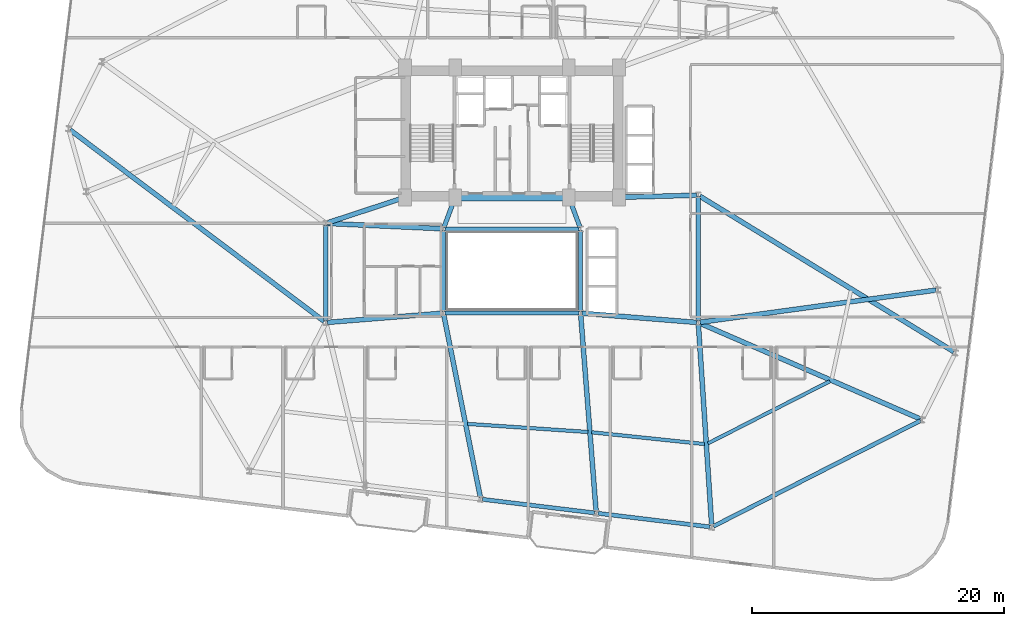
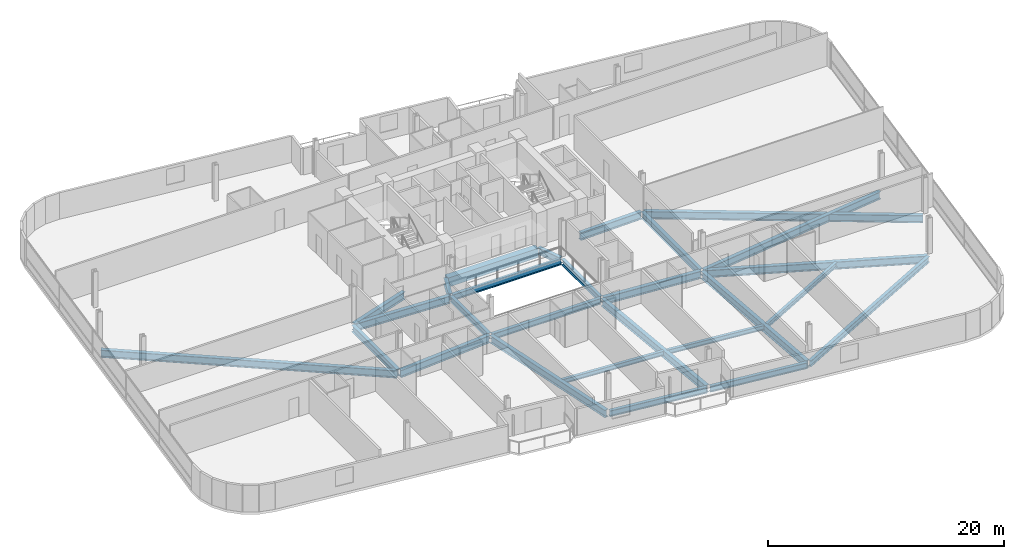
# One storey, part 7 of 26: 27 beams.
"""IFC4 building model written with IfcOpenShell, lengths in metres."""

from ifc_helpers import new_model, si_unit, direction, frame, origin, origin_2d, place, context, subcontext, project, spatial, rectangle, i_section, extrude, material, material_profile, profile_set, type_object, element, save


model = new_model("IFC4")

# Units and contexts
model_context = context("Model", 3, precision=1e-05, world=origin(), true_north=direction((0.0, 1.0)))
body_context = subcontext(model_context, "Body", "Model", "MODEL_VIEW")
ifc_project = project(units=[si_unit("LENGTHUNIT", "METRE"), si_unit("AREAUNIT", "SQUARE_METRE"), si_unit("VOLUMEUNIT", "CUBIC_METRE"), si_unit("PLANEANGLEUNIT", "RADIAN"), si_unit("MASSUNIT", "GRAM", prefix="KILO")], contexts=[model_context])

# Site, building, storey
site_placement = place(None, origin())
site = spatial("IfcSite", under=ifc_project, at=site_placement, CompositionType="ELEMENT")
building_placement = place(site_placement, origin())
building = spatial("IfcBuilding", under=site, at=building_placement, Name="Varnelok Gate Tower", CompositionType="ELEMENT")
storey_placement = place(building_placement, frame((0.0, 0.0, 129.10009765625)))
storey = spatial("IfcBuildingStorey", under=building, at=storey_placement, Name="L32", CompositionType="ELEMENT", Elevation=129.10009765625)

# Beams
ifc_material_1 = material(Name="Structural Steel ASTM A992 Grade 50", Category="steel")
ifc_material_profile_1 = material_profile(ifc_material_1, i_section(OverallWidth=0.280029296875, OverallDepth=0.462890625, WebThickness=0.0107421875, FlangeThickness=0.017333984375, FilletRadius=0.014892578125, at=origin_2d()), Name="W18X76")
ifc_profile_set_1 = profile_set([ifc_material_profile_1], Name="Structural Steel ASTM A992 Grade 50")
beam_type_1 = type_object("IfcBeamType", Name="BM-JST-W18X76", PredefinedType="JOIST", material=ifc_profile_set_1)
beam_1_placement = place(storey_placement, frame((35.651611328125, 10.74658203125, -0.481689453125), z_axis=(0.997760046708, -0.066894612588, 0.0), x_axis=(0.066894612588, 0.997760046708, 0.0)))
element("IfcBeam", 1, at=beam_1_placement, inside=storey, type_object=beam_type_1, Name="L32 Sector Floor Joist 3", PredefinedType="JOIST", context=body_context, shape_type="SweptSolid", body=[
    extrude(i_section(OverallWidth=0.280029296875, OverallDepth=0.462890625, WebThickness=0.0107421875, FlangeThickness=0.017333984375, FilletRadius=0.014892578125, at=origin_2d()), origin(), (0.0, 0.0, 1.0), 9.620361328125),
])
beam_2_placement = place(storey_placement, frame((45.529296875, 10.0791015625, -0.481689453125), z_axis=(0.994590833623, -0.103870465835, 0.0), x_axis=(0.103870465835, 0.994590833623, 0.0)))
element("IfcBeam", 2, at=beam_2_placement, inside=storey, type_object=beam_type_1, Name="L32 Sector Floor Joist 4", PredefinedType="JOIST", context=body_context, shape_type="SweptSolid", body=[
    extrude(i_section(OverallWidth=0.280029296875, OverallDepth=0.462890625, WebThickness=0.0107421875, FlangeThickness=0.017333984375, FilletRadius=0.014892578125, at=origin_2d()), origin(), (0.0, 0.0, 1.0), 9.02099609375),
])
beam_3_placement = place(storey_placement, frame((54.765380859375, 9.19140625, -0.481689453125), z_axis=(0.890737225888, 0.454518640341, 0.0), x_axis=(-0.454518640341, 0.890737225888, 0.0)))
element("IfcBeam", 3, at=beam_3_placement, inside=storey, type_object=beam_type_1, Name="L32 Sector Floor Joist 5", PredefinedType="JOIST", context=body_context, shape_type="SweptSolid", body=[
    extrude(i_section(OverallWidth=0.280029296875, OverallDepth=0.462890625, WebThickness=0.0107421875, FlangeThickness=0.017333984375, FilletRadius=0.014892578125, at=origin_2d()), origin(), (0.0, 0.0, 1.0), 10.88623046875),
])
ifc_material_2 = material(Name="Concrete C60/75", Category="concrete")
ifc_material_profile_2 = material_profile(ifc_material_2, rectangle(XDim=0.60009765625, YDim=0.949951171875, at=origin_2d()), Name="RC950X600")
ifc_profile_set_2 = profile_set([ifc_material_profile_2], Name="Concrete C60/75")
beam_type_2 = type_object("IfcBeamType", Name="BM-LNT-RC950", PredefinedType="LINTEL", material=ifc_profile_set_2)
beam_4_placement = place(storey_placement, frame((34.800048828125, 28.75, -0.72509765625), z_axis=(1.0, 0.0, 0.0), x_axis=(0.0, 1.0, 0.0)))
element("IfcBeam", 4, at=beam_4_placement, inside=storey, type_object=beam_type_2, Name="L32 Core-Atrium Spine Beam 7", PredefinedType="LINTEL", context=body_context, shape_type="SweptSolid", body=[
    extrude(rectangle(XDim=0.60009765625, YDim=0.949951171875, at=origin_2d()), origin(), (0.0, 0.0, 1.0), 8.800048828125),
])
ifc_material_profile_3 = material_profile(ifc_material_1, i_section(OverallWidth=0.35498046875, OverallDepth=0.696044921875, WebThickness=0.015380859375, FlangeThickness=0.02490234375, FilletRadius=0.02001953125, at=origin_2d()), Name="W27X146")
ifc_profile_set_3 = profile_set([ifc_material_profile_3], Name="Structural Steel ASTM A992 Grade 50")
beam_type_3 = type_object("IfcBeamType", Name="BM-PRI-W27X146", PredefinedType="BEAM", material=ifc_profile_set_3)
for number, where, z_axis, x_axis, name in (
    (5, (33.791748046875, 26.362548828125, -0.59814453125), (0.348719329408, 0.937227202602, 0.0), (-0.937227202602, 0.348719329408, 0.0), "L32 Core-Atrium Spine Beam 12"),
    (6, (44.608154296875, 26.362548828125, -0.59814453125), (-0.348719329408, 0.937227202602, 0.0), (-0.937227202602, -0.348719329408, 0.0), "L32 Core-Atrium Spine Beam 13"),
):
    element("IfcBeam", number, at=place(storey_placement, frame(where, z_axis=z_axis, x_axis=x_axis)), inside=storey, type_object=beam_type_3, Name=name, PredefinedType="BEAM", context=body_context, shape_type="SweptSolid", body=[
        extrude(i_section(OverallWidth=0.35498046875, OverallDepth=0.696044921875, WebThickness=0.015380859375, FlangeThickness=0.02490234375, FilletRadius=0.02001953125, at=origin_2d()), origin(), (0.0, 0.0, 1.0), 2.42724609375),
    ])
beam_5_placement = place(storey_placement, frame((24.39990234375, 18.919921875, -0.59814453125), z_axis=(0.0, 1.0, 0.0), x_axis=(-1.0, 0.0, 0.0)))
element("IfcBeam", 7, at=beam_5_placement, inside=storey, type_object=beam_type_3, Name="L32 Core-Atrium Spine Beam 16", PredefinedType="BEAM", context=body_context, shape_type="SweptSolid", body=[
    extrude(i_section(OverallWidth=0.35498046875, OverallDepth=0.696044921875, WebThickness=0.015380859375, FlangeThickness=0.02490234375, FilletRadius=0.02001953125, at=origin_2d()), origin(), (0.0, 0.0, 1.0), 7.64013671875),
])
beam_6_placement = place(storey_placement, frame((54.0, 18.919921875, -0.59814453125), z_axis=(0.0, 1.0, 0.0), x_axis=(-1.0, 0.0, 0.0)))
element("IfcBeam", 8, at=beam_6_placement, inside=storey, type_object=beam_type_3, Name="L32 Core-Atrium Spine Beam 20", PredefinedType="BEAM", context=body_context, shape_type="SweptSolid", body=[
    extrude(i_section(OverallWidth=0.35498046875, OverallDepth=0.696044921875, WebThickness=0.015380859375, FlangeThickness=0.02490234375, FilletRadius=0.02001953125, at=origin_2d()), origin(), (0.0, 0.0, 1.0), 9.880126953125),
])
ifc_material_profile_4 = material_profile(ifc_material_1, i_section(OverallWidth=0.381103515625, OverallDepth=0.77294921875, WebThickness=0.0166015625, FlangeThickness=0.027099609375, FilletRadius=0.02197265625, at=origin_2d()), Name="W30X173")
ifc_profile_set_4 = profile_set([ifc_material_profile_4], Name="Structural Steel ASTM A992 Grade 50")
beam_type_4 = type_object("IfcBeamType", Name="BM-PRI-W30X173", PredefinedType="BEAM", material=ifc_profile_set_4)
beam_7_placement = place(storey_placement, frame((24.51953125, 18.8095703125, -0.63671875), z_axis=(0.996799206292, 0.07994587128, 0.0), x_axis=(-0.07994587128, 0.996799206292, 0.0)))
element("IfcBeam", 9, at=beam_7_placement, inside=storey, type_object=beam_type_4, Name="L32 Core-Atrium Spine Beam 14", PredefinedType="BEAM", context=body_context, shape_type="SweptSolid", body=[
    extrude(i_section(OverallWidth=0.381103515625, OverallDepth=0.77294921875, WebThickness=0.0166015625, FlangeThickness=0.027099609375, FilletRadius=0.02197265625, at=origin_2d()), origin(), (0.0, 0.0, 1.0), 9.14013671875),
])
beam_8_placement = place(storey_placement, frame((24.52001953125, 26.674560546875, -0.63671875), z_axis=(0.99894427814, -0.045938319209, 0.0), x_axis=(0.045938319209, 0.99894427814, 0.0)))
element("IfcBeam", 10, at=beam_8_placement, inside=storey, type_object=beam_type_4, Name="L32 Core-Atrium Spine Beam 15", PredefinedType="BEAM", context=body_context, shape_type="SweptSolid", body=[
    extrude(i_section(OverallWidth=0.381103515625, OverallDepth=0.77294921875, WebThickness=0.0166015625, FlangeThickness=0.027099609375, FilletRadius=0.02197265625, at=origin_2d()), origin(), (0.0, 0.0, 1.0), 9.11962890625),
])
beam_9_placement = place(storey_placement, frame((24.513916015625, 26.717529296875, -0.63671875), z_axis=(0.950041943788, 0.312122259768, 0.0), x_axis=(-0.312122259768, 0.950041943788, 0.0)))
element("IfcBeam", 11, at=beam_9_placement, inside=storey, type_object=beam_type_4, Name="L32 Core-Atrium Spine Beam 17", PredefinedType="BEAM", context=body_context, shape_type="SweptSolid", body=[
    extrude(i_section(OverallWidth=0.381103515625, OverallDepth=0.77294921875, WebThickness=0.0166015625, FlangeThickness=0.027099609375, FilletRadius=0.02197265625, at=origin_2d()), origin(), (0.0, 0.0, 1.0), 6.391357421875),
])
beam_10_placement = place(storey_placement, frame((44.76953125, 19.540283203125, -0.63671875), z_axis=(0.996799206292, -0.07994587128, 0.0), x_axis=(0.07994587128, 0.996799206292, 0.0)))
element("IfcBeam", 12, at=beam_10_placement, inside=storey, type_object=beam_type_4, Name="L32 Core-Atrium Spine Beam 18", PredefinedType="BEAM", context=body_context, shape_type="SweptSolid", body=[
    extrude(i_section(OverallWidth=0.381103515625, OverallDepth=0.77294921875, WebThickness=0.0166015625, FlangeThickness=0.027099609375, FilletRadius=0.02197265625, at=origin_2d()), origin(), (0.0, 0.0, 1.0), 9.14013671875),
])
beam_11_placement = place(storey_placement, frame((47.820068359375, 28.753173828125, -0.63671875), z_axis=(0.999635880609, 0.026983443053, 0.0), x_axis=(-0.026983443053, 0.999635880609, 0.0)))
element("IfcBeam", 13, at=beam_11_placement, inside=storey, type_object=beam_type_4, Name="L32 Core-Atrium Spine Beam 19", PredefinedType="BEAM", context=body_context, shape_type="SweptSolid", body=[
    extrude(i_section(OverallWidth=0.381103515625, OverallDepth=0.77294921875, WebThickness=0.0166015625, FlangeThickness=0.027099609375, FilletRadius=0.02197265625, at=origin_2d()), origin(), (0.0, 0.0, 1.0), 6.06201171875),
])
beam_12_placement = place(storey_placement, frame((33.779541015625, 19.40283203125, -0.63671875), z_axis=(0.1964593524, -0.980511969766, 0.0), x_axis=(0.980511969766, 0.1964593524, 0.0)))
element("IfcBeam", 14, at=beam_12_placement, inside=storey, type_object=beam_type_4, Name="L32 Radial Floor Girder 3", PredefinedType="BEAM", context=body_context, shape_type="SweptSolid", body=[
    extrude(i_section(OverallWidth=0.381103515625, OverallDepth=0.77294921875, WebThickness=0.0166015625, FlangeThickness=0.027099609375, FilletRadius=0.02197265625, at=origin_2d()), origin(), (0.0, 0.0, 1.0), 14.773193359375),
])
beam_13_placement = place(storey_placement, frame((44.66162109375, 19.400390625, -0.63671875), z_axis=(0.078042805068, -0.996950009066, 0.0), x_axis=(0.996950009066, 0.078042805068, 0.0)))
element("IfcBeam", 15, at=beam_13_placement, inside=storey, type_object=beam_type_4, Name="L32 Radial Floor Girder 4", PredefinedType="BEAM", context=body_context, shape_type="SweptSolid", body=[
    extrude(i_section(OverallWidth=0.381103515625, OverallDepth=0.77294921875, WebThickness=0.0166015625, FlangeThickness=0.027099609375, FilletRadius=0.02197265625, at=origin_2d()), origin(), (0.0, 0.0, 1.0), 15.641357421875),
])
beam_14_placement = place(storey_placement, frame((54.010009765625, 18.650390625, -0.63671875), z_axis=(0.066089376194, -0.997813707239, 0.0), x_axis=(0.997813707239, 0.066089376194, 0.0)))
element("IfcBeam", 16, at=beam_14_placement, inside=storey, type_object=beam_type_4, Name="L32 Radial Floor Girder 5", PredefinedType="BEAM", context=body_context, shape_type="SweptSolid", body=[
    extrude(i_section(OverallWidth=0.381103515625, OverallDepth=0.77294921875, WebThickness=0.0166015625, FlangeThickness=0.027099609375, FilletRadius=0.02197265625, at=origin_2d()), origin(), (0.0, 0.0, 1.0), 15.99169921875),
])
beam_15_placement = place(storey_placement, frame((54.1376953125, 18.740234375, -0.63671875), z_axis=(0.917259371715, -0.398290402848, 0.0), x_axis=(0.398290402848, 0.917259371715, 0.0)))
element("IfcBeam", 17, at=beam_15_placement, inside=storey, type_object=beam_type_4, Name="L32 Radial Floor Girder 6", PredefinedType="BEAM", context=body_context, shape_type="SweptSolid", body=[
    extrude(i_section(OverallWidth=0.381103515625, OverallDepth=0.77294921875, WebThickness=0.0166015625, FlangeThickness=0.027099609375, FilletRadius=0.02197265625, at=origin_2d()), origin(), (0.0, 0.0, 1.0), 19.09765625),
])
beam_16_placement = place(storey_placement, frame((54.1279296875, 28.841796875, -0.63671875), z_axis=(0.852781066678, -0.522268563399, 0.0), x_axis=(0.522268563399, 0.852781066678, 0.0)))
element("IfcBeam", 18, at=beam_16_placement, inside=storey, type_object=beam_type_4, Name="L32 Radial Floor Girder 7", PredefinedType="BEAM", context=body_context, shape_type="SweptSolid", body=[
    extrude(i_section(OverallWidth=0.381103515625, OverallDepth=0.77294921875, WebThickness=0.0166015625, FlangeThickness=0.027099609375, FilletRadius=0.02197265625, at=origin_2d()), origin(), (0.0, 0.0, 1.0), 23.663330078125),
])
beam_17_placement = place(storey_placement, frame((54.148681640625, 18.8203125, -0.63671875), z_axis=(0.990818465143, 0.135198998265, 0.0), x_axis=(-0.135198998265, 0.990818465143, 0.0)))
element("IfcBeam", 19, at=beam_17_placement, inside=storey, type_object=beam_type_4, Name="L32 Radial Floor Girder 8", PredefinedType="BEAM", context=body_context, shape_type="SweptSolid", body=[
    extrude(i_section(OverallWidth=0.381103515625, OverallDepth=0.77294921875, WebThickness=0.0166015625, FlangeThickness=0.027099609375, FilletRadius=0.02197265625, at=origin_2d()), origin(), (0.0, 0.0, 1.0), 18.921142578125),
])
beam_18_placement = place(storey_placement, frame((24.2802734375, 18.890380859375, -0.63671875), z_axis=(-0.798720202065, 0.601702616591, 0.0), x_axis=(-0.601702616591, -0.798720202065, 0.0)))
element("IfcBeam", 20, at=beam_18_placement, inside=storey, type_object=beam_type_4, Name="L32 Radial Floor Girder 15", PredefinedType="BEAM", context=body_context, shape_type="SweptSolid", body=[
    extrude(i_section(OverallWidth=0.381103515625, OverallDepth=0.77294921875, WebThickness=0.0166015625, FlangeThickness=0.027099609375, FilletRadius=0.02197265625, at=origin_2d()), origin(), (0.0, 0.0, 1.0), 25.285400390625),
])
ifc_material_profile_5 = material_profile(ifc_material_1, i_section(OverallWidth=0.323974609375, OverallDepth=0.611083984375, WebThickness=0.0126953125, FlangeThickness=0.01904296875, FilletRadius=0.01806640625, at=origin_2d()), Name="W24X104")
ifc_profile_set_5 = profile_set([ifc_material_profile_5], Name="Structural Steel ASTM A992 Grade 50")
beam_type_5 = type_object("IfcBeamType", Name="BM-SPN-W24X104", PredefinedType="SPANDREL", material=ifc_profile_set_5)
for number, where, z_axis, x_axis, name in (
    (21, (33.8701171875, 19.550048828125, -0.5556640625), (1.0, 0.0, 0.0), (0.0, 1.0, 0.0), "L32 Core-Atrium Spine Beam 8"),
    (22, (33.8701171875, 26.25, -0.5556640625), (1.0, 0.0, 0.0), (0.0, 1.0, 0.0), "L32 Core-Atrium Spine Beam 9"),
):
    element("IfcBeam", number, at=place(storey_placement, frame(where, z_axis=z_axis, x_axis=x_axis)), inside=storey, type_object=beam_type_5, Name=name, PredefinedType="SPANDREL", context=body_context, shape_type="SweptSolid", body=[
        extrude(i_section(OverallWidth=0.323974609375, OverallDepth=0.611083984375, WebThickness=0.0126953125, FlangeThickness=0.01904296875, FilletRadius=0.01806640625, at=origin_2d()), origin(), (0.0, 0.0, 1.0), 10.659912109375),
    ])
for number, where, z_axis, x_axis, name in (
    (23, (33.75, 19.669921875, -0.5556640625), (0.0, 1.0, 0.0), (-1.0, 0.0, 0.0), "L32 Core-Atrium Spine Beam 10"),
    (24, (44.64990234375, 19.669921875, -0.5556640625), (0.0, 1.0, 0.0), (-1.0, 0.0, 0.0), "L32 Core-Atrium Spine Beam 11"),
):
    element("IfcBeam", number, at=place(storey_placement, frame(where, z_axis=z_axis, x_axis=x_axis)), inside=storey, type_object=beam_type_5, Name=name, PredefinedType="SPANDREL", context=body_context, shape_type="SweptSolid", body=[
        extrude(i_section(OverallWidth=0.323974609375, OverallDepth=0.611083984375, WebThickness=0.0126953125, FlangeThickness=0.01904296875, FilletRadius=0.01806640625, at=origin_2d()), origin(), (0.0, 0.0, 1.0), 6.4599609375),
    ])
for number, where, z_axis, x_axis, name in (
    (25, (36.860107421875, 4.752197265625, -0.5556640625), (0.992734670707, -0.120324035735, 0.0), (0.120324035735, 0.992734670707, 0.0), "L32 Perimeter Spandrel Beam 3"),
    (26, (46.04296875, 3.638916015625, -0.5556640625), (0.992734670707, -0.120324035735, 0.0), (0.120324035735, 0.992734670707, 0.0), "L32 Perimeter Spandrel Beam 4"),
):
    element("IfcBeam", number, at=place(storey_placement, frame(where, z_axis=z_axis, x_axis=x_axis)), inside=storey, type_object=beam_type_5, Name=name, PredefinedType="SPANDREL", context=body_context, shape_type="SweptSolid", body=[
        extrude(i_section(OverallWidth=0.323974609375, OverallDepth=0.611083984375, WebThickness=0.0126953125, FlangeThickness=0.01904296875, FilletRadius=0.01806640625, at=origin_2d()), origin(), (0.0, 0.0, 1.0), 8.949951171875),
    ])
beam_19_placement = place(storey_placement, frame((55.21044921875, 2.612060546875, -0.5556640625), z_axis=(0.890721671543, 0.454549121486, 0.0), x_axis=(-0.454549121486, 0.890721671543, 0.0)))
element("IfcBeam", 27, at=beam_19_placement, inside=storey, type_object=beam_type_5, Name="L32 Perimeter Spandrel Beam 5", PredefinedType="SPANDREL", context=body_context, shape_type="SweptSolid", body=[
    extrude(i_section(OverallWidth=0.323974609375, OverallDepth=0.611083984375, WebThickness=0.0126953125, FlangeThickness=0.01904296875, FilletRadius=0.01806640625, at=origin_2d()), origin(), (0.0, 0.0, 1.0), 18.466796875),
])

save(model, "model.ifc")
